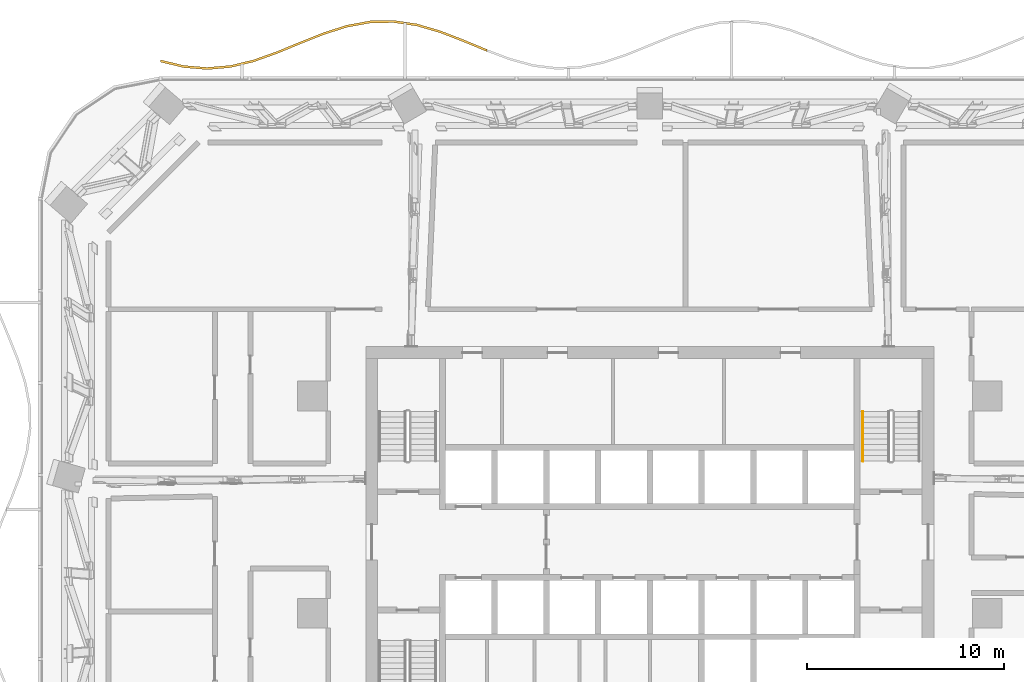
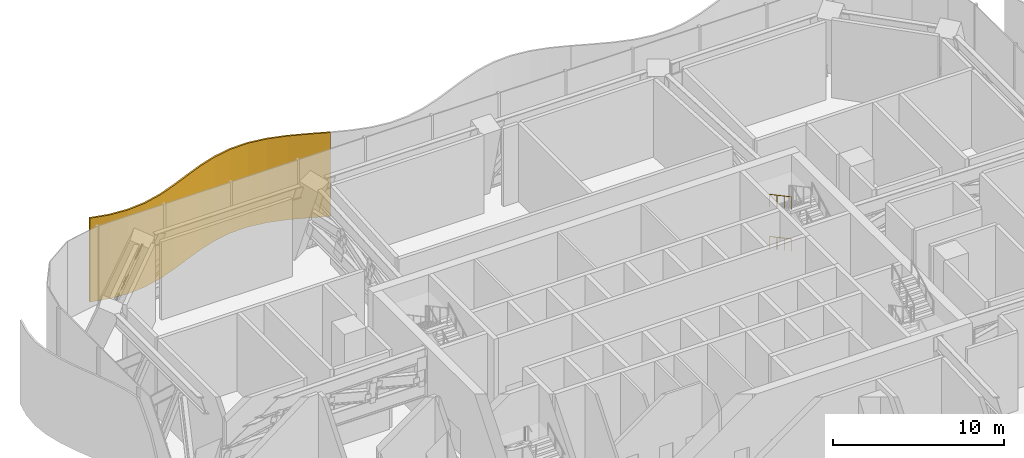
# One storey, part 30 of 32: 2 railings, 1 shading device.
"""IFC4 building model written with IfcOpenShell, lengths in metres."""

import ifcopenshell
import ifcopenshell.guid

model = None  # the IFC model being written
_history = None  # IfcOwnerHistory: only IFC2X3 demands one
_inside = {}  # id of a spatial element -> (the spatial element, [elements in it])
_under = {}  # id of a project, library or spatial element -> (it, [spatial elements below it])
_declared = {}  # id of a project -> (the project, [libraries it declares])
_typed = {}  # id of a type object -> (the type object, [elements of that type])
_made_of = {}  # id of a material, layer set ... -> (it, [elements and type objects made of it])


def new_model(schema):
    """Start an empty IFC model of exactly this schema.

    Asked for "IFC4X3", IfcOpenShell would pick the latest addendum, in which some entities
    have other attributes; the version numbers below select the first issue.
    IFC2X3 requires an IfcOwnerHistory on every rooted entity: one is made here for all.
    """
    global model, _history
    if schema == "IFC4X3":
        model = ifcopenshell.file(schema_version=(4, 3, 0, 0))
    else:
        model = ifcopenshell.file(schema=schema)
    _inside.clear()
    _under.clear()
    _declared.clear()
    _typed.clear()
    _made_of.clear()
    _history = None
    if model.schema == "IFC2X3":
        org = make("IfcOrganization", Name="unknown")
        user = make(
            "IfcPersonAndOrganization",
            ThePerson=make("IfcPerson", FamilyName="unknown"),
            TheOrganization=org,
        )
        app = make(
            "IfcApplication",
            ApplicationDeveloper=org,
            Version="unknown",
            ApplicationFullName="unknown",
            ApplicationIdentifier="unknown",
        )
        _history = make(
            "IfcOwnerHistory",
            OwningUser=user,
            OwningApplication=app,
            ChangeAction="ADDED",
            CreationDate=0,
        )
    return model


def make(cls, **values):
    """One entity of the class cls with the attributes given. An attribute that is None is left unset."""
    return model.create_entity(
        cls, **{name: value for name, value in values.items() if value is not None}
    )


def rooted(cls, **values):
    """An entity with a GlobalId (a new one), such as an element, a storey or a relation."""
    return make(cls, GlobalId=ifcopenshell.guid.new(), OwnerHistory=_history, **values)


def si_unit(unit_type, name, prefix=None):
    """IfcSIUnit, for example si_unit("LENGTHUNIT", "METRE", prefix="MILLI")."""
    return make("IfcSIUnit", UnitType=unit_type, Prefix=prefix, Name=name)


def assignment(units):
    """IfcUnitAssignment: the units of a project."""
    return None if units is None else make("IfcUnitAssignment", Units=units)


def point(xyz):
    """IfcCartesianPoint."""
    return None if xyz is None else make("IfcCartesianPoint", Coordinates=xyz)


def direction(xyz):
    """IfcDirection."""
    return None if xyz is None else make("IfcDirection", DirectionRatios=xyz)


def frame(location, z_axis=None, x_axis=None):
    """IfcAxis2Placement3D, a coordinate frame: its origin and axes. An axis left out is left unset."""
    return make(
        "IfcAxis2Placement3D",
        Location=point(location),
        Axis=direction(z_axis),
        RefDirection=direction(x_axis),
    )


def frame_2d(location, x_axis=None):
    """IfcAxis2Placement2D, a coordinate frame in the plane: its origin and x axis."""
    return make(
        "IfcAxis2Placement2D", Location=point(location), RefDirection=direction(x_axis)
    )


def origin():
    """The frame at (0, 0, 0) with its axes left unset."""
    return frame((0.0, 0.0, 0.0))


def origin_2d():
    """The frame at (0, 0) in the plane with its x axis left unset."""
    return frame_2d((0.0, 0.0))


def place(relative_to, where):
    """IfcLocalPlacement: puts the frame where relative to a parent placement (None: the world)."""
    return make(
        "IfcLocalPlacement", PlacementRelTo=relative_to, RelativePlacement=where
    )


def context(
    kind, dimensions, precision=None, world=None, true_north=None, identifier=None
):
    """IfcGeometricRepresentationContext, for example the 3D "Model" context."""
    return make(
        "IfcGeometricRepresentationContext",
        ContextIdentifier=identifier,
        ContextType=kind,
        CoordinateSpaceDimension=dimensions,
        Precision=precision,
        WorldCoordinateSystem=world,
        TrueNorth=true_north,
    )


def subcontext(parent, identifier, kind, view, scale=None):
    """IfcGeometricRepresentationSubContext, for example "Body" below "Model"."""
    return make(
        "IfcGeometricRepresentationSubContext",
        ContextIdentifier=identifier,
        ContextType=kind,
        ParentContext=parent,
        TargetScale=scale,
        TargetView=view,
    )


def project(units=None, contexts=None):
    """IfcProject with its units and contexts."""
    return rooted(
        "IfcProject",
        Name="project",
        RepresentationContexts=contexts,
        UnitsInContext=assignment(units),
    )


def spatial(cls, under=None, at=None, **own):
    """A site, building, storey or space (cls), placed at a placement, below another one or the project."""
    s = rooted(cls, ObjectPlacement=at, **own)
    if under is not None:
        _under.setdefault(under.id(), (under, []))[1].append(s)
    return s


def polyline(points):
    """IfcPolyline through the points."""
    return make("IfcPolyline", Points=[point(p) for p in points])


def profile(cls, at=None, kind="AREA", **sizes):
    """A parametric profile (cls). Its sizes go by their IFC names, for example OverallWidth=200.0."""
    return make(cls, ProfileType=kind, Position=at, **sizes)


def circle(**sizes):
    """IfcCircleProfileDef."""
    return profile("IfcCircleProfileDef", **sizes)


def outline(outer, holes=None, kind="AREA"):
    """IfcArbitraryClosedProfileDef: a profile drawn as a closed curve; with holes, ...WithVoids."""
    if holes is None:
        return make("IfcArbitraryClosedProfileDef", ProfileType=kind, OuterCurve=outer)
    return make(
        "IfcArbitraryProfileDefWithVoids",
        ProfileType=kind,
        OuterCurve=outer,
        InnerCurves=holes,
    )


def extrude(swept, where, along, depth):
    """IfcExtrudedAreaSolid: the profile swept, set in the frame where, extruded along a direction by depth."""
    return make(
        "IfcExtrudedAreaSolid",
        SweptArea=swept,
        Position=where,
        ExtrudedDirection=direction(along),
        Depth=depth,
    )


def shape(context_of_items, identifier, shape_type, items):
    """IfcShapeRepresentation: the items that make up one representation, for example the "Body"."""
    return make(
        "IfcShapeRepresentation",
        ContextOfItems=context_of_items,
        RepresentationIdentifier=identifier,
        RepresentationType=shape_type,
        Items=items,
    )


def material(Name=None, Category=None):
    """IfcMaterial."""
    return make("IfcMaterial", Name=Name, Category=Category)


def layer(
    of_material, thickness, ventilated=None, Name=None, Category=None, Priority=None
):
    """IfcMaterialLayer: one layer of a wall or slab, of a material (None: an air gap)."""
    return make(
        "IfcMaterialLayer",
        Material=of_material,
        LayerThickness=thickness,
        IsVentilated=ventilated,
        Name=Name,
        Category=Category,
        Priority=Priority,
    )


def layer_set(layers, Name=None):
    """IfcMaterialLayerSet."""
    return make("IfcMaterialLayerSet", MaterialLayers=layers, LayerSetName=Name)


def made_of(thing, what):
    """Note that an element or type object is made of a material, layer set ...; save() writes the relation."""
    if what is not None:
        _made_of.setdefault(what.id(), (what, []))[1].append(thing)
    return thing


def type_object(cls, material=None, **own):
    """A type object (cls), such as IfcWallType, which elements share."""
    return made_of(rooted(cls, **own), material)


def element(
    cls,
    number,
    at=None,
    inside=None,
    cuts=None,
    type_object=None,
    material=None,
    context=None,
    identifier="Body",
    shape_type=None,
    held_by="IfcProductDefinitionShape",
    body=None,
    shapes=None,
    **own,
):
    """One element of the class cls, such as IfcWall. Its Tag is "e" and its number.

    at: its placement. inside: the storey or other place that contains it. cuts: it is an
    opening in that element (IfcRelVoidsElement). A single representation is given by context,
    identifier, shape_type and body (its items); several are given by shapes. held_by: the class
    of the entity that holds the representations. save() writes the other relations.
    """
    e = rooted(cls, Tag="e%d" % number, ObjectPlacement=at, **own)
    if body is not None:
        shapes = [shape(context, identifier, shape_type, body)]
    if shapes is not None:
        e.Representation = make(held_by, Representations=shapes)
    if inside is not None:
        _inside.setdefault(inside.id(), (inside, []))[1].append(e)
    if cuts is not None:
        rooted(
            "IfcRelVoidsElement", RelatingBuildingElement=cuts, RelatedOpeningElement=e
        )
    if type_object is not None:
        _typed.setdefault(type_object.id(), (type_object, []))[1].append(e)
    return made_of(e, material)


def aggregate(whole, parts):
    """IfcRelAggregates: a whole, such as a stair, and the parts it consists of."""
    return rooted("IfcRelAggregates", RelatingObject=whole, RelatedObjects=parts)


def save(model, path):
    """Write the relations noted so far, then the file.

    IfcRelAggregates (storeys below a building ...), IfcRelContainedInSpatialStructure (elements
    in a storey), IfcRelDefinesByType, IfcRelAssociatesMaterial and IfcRelDeclares: one each for
    every whole, place, type object, material and project.
    """
    for whole, parts in _under.values():
        aggregate(whole, parts)
    for where, things in _inside.values():
        rooted(
            "IfcRelContainedInSpatialStructure",
            RelatedElements=things,
            RelatingStructure=where,
        )
    for kind, things in _typed.values():
        rooted("IfcRelDefinesByType", RelatedObjects=things, RelatingType=kind)
    for what, things in _made_of.values():
        rooted("IfcRelAssociatesMaterial", RelatedObjects=things, RelatingMaterial=what)
    for by, libraries in _declared.values():
        rooted("IfcRelDeclares", RelatingContext=by, RelatedDefinitions=libraries)
    model.write(path)


model = new_model("IFC4")

# Units and contexts
model_context = context("Model", 3, precision=1e-05, world=origin(), true_north=direction((0.0, 1.0)))
body_context = subcontext(model_context, "Body", "Model", "MODEL_VIEW")
ifc_project = project(units=[si_unit("LENGTHUNIT", "METRE"), si_unit("AREAUNIT", "SQUARE_METRE"), si_unit("VOLUMEUNIT", "CUBIC_METRE"), si_unit("PLANEANGLEUNIT", "RADIAN"), si_unit("MASSUNIT", "GRAM", prefix="KILO")], contexts=[model_context])

# Site, building, storey
site_placement = place(None, origin())
site = spatial("IfcSite", under=ifc_project, at=site_placement, CompositionType="ELEMENT")
building_placement = place(site_placement, origin())
building = spatial("IfcBuilding", under=site, at=building_placement, Name="Mopane Tessera Tower", CompositionType="ELEMENT")
storey_placement = place(building_placement, frame((0.0, 0.0, 88.60009765625)))
storey = spatial("IfcBuildingStorey", under=building, at=storey_placement, Name="L17", CompositionType="ELEMENT", Elevation=88.60009765625)

# Railings
ifc_material_1 = material(Name="Powder-coated steel balustrade", Category="steel")
railing_type = type_object("IfcRailingType", Name="Escape stair handrail 900 mm", PredefinedType="HANDRAIL", material=ifc_material_1)
for number, where, name in (
    (1, (10.800048828125, 10.219970703125, 1.64990234375), "L17 ST4 stair handrail 2"),
    (2, (10.800048828125, 10.219970703125, 4.64990234375), "L17 ST4 stair handrail 4"),
):
    element("IfcRailing", number, at=place(storey_placement, frame(where)), inside=storey, type_object=railing_type, Name=name, PredefinedType="HANDRAIL", context=body_context, shape_type="SweptSolid", body=[
        extrude(circle(Radius=0.02392578125, at=origin_2d()), frame((0.0, 0.0, 0.8759765625), z_axis=(0.0, -0.881467274426, 0.472245110209), x_axis=(1.0, 0.0, 0.0)), (0.0, 0.0, 1.0), 2.85888671875),
        extrude(circle(Radius=0.02099609375, at=origin_2d()), origin(), (0.0, 0.0, 1.0), 0.851806640625),
        extrude(circle(Radius=0.02099609375, at=origin_2d()), frame((0.0, -0.840087890625, 0.449951171875)), (0.0, 0.0, 1.0), 0.851806640625),
        extrude(circle(Radius=0.02099609375, at=origin_2d()), frame((0.0, -1.679931640625, 0.900146484375)), (0.0, 0.0, 1.0), 0.851806640625),
        extrude(circle(Radius=0.02099609375, at=origin_2d()), frame((0.0, -2.52001953125, 1.35009765625)), (0.0, 0.0, 1.0), 0.851806640625),
    ])

# Shading device
ifc_material_2 = material(Name="Anodised aluminium louvre blades", Category="aluminium")
ifc_layer = layer(ifc_material_2, 0.1201171875)
ifc_layer_set = layer_set([ifc_layer], Name="Anodised aluminium louvre blades")
shading_device_type = type_object("IfcShadingDeviceType", Name="Wave louvre screen", PredefinedType="JALOUSIE", material=ifc_layer_set)
shading_device_placement = place(storey_placement, frame((0.0, 0.0, -0.420166015625)))
element("IfcShadingDevice", 3, at=shading_device_placement, inside=storey, type_object=shading_device_type, Name="e:lv:L17:N:2", PredefinedType="JALOUSIE", context=body_context, shape_type="SweptSolid", body=[
    extrude(outline(polyline([(-8.2666015625, 28.45654296875), (-9.447509765625, 28.947509765625), (-10.628662109375, 29.403564453125), (-11.8095703125, 29.74853515625), (-12.990478515625, 29.924560546875), (-14.17138671875, 29.902099609375), (-15.352294921875, 29.68505859375), (-16.533447265625, 29.3095703125), (-17.71435546875, 28.838623046875), (-18.895263671875, 28.351318359375), (-20.076171875, 27.928955078125), (-21.257080078125, 27.642578125), (-22.43798828125, 27.5400390625), (-23.619140625, 27.638427734375), (-24.800048828125, 27.921630859375), (-24.800048828125, 28.04150390625), (-23.619140625, 27.758544921875), (-22.43798828125, 27.659912109375), (-21.257080078125, 27.762451171875), (-20.076171875, 28.048828125), (-18.895263671875, 28.47119140625), (-17.71435546875, 28.958740234375), (-16.533447265625, 29.429443359375), (-15.352294921875, 29.804931640625), (-14.17138671875, 30.022216796875), (-12.990478515625, 30.044677734375), (-11.8095703125, 29.86865234375), (-10.628662109375, 29.523681640625), (-9.447509765625, 29.0673828125), (-8.2666015625, 28.576416015625), (-8.2666015625, 28.45654296875)])), origin(), (0.0, 0.0, 1.0), 5.969970703125),
])

save(model, "model.ifc")
